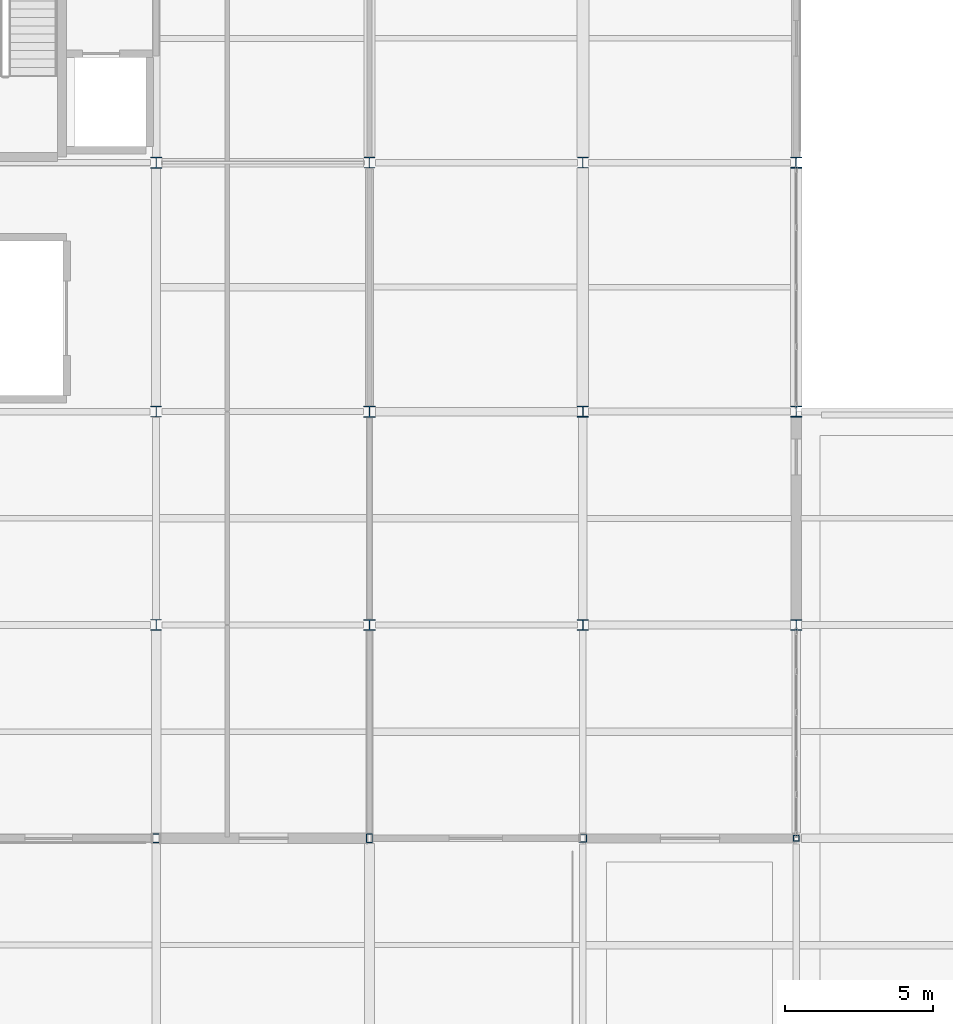
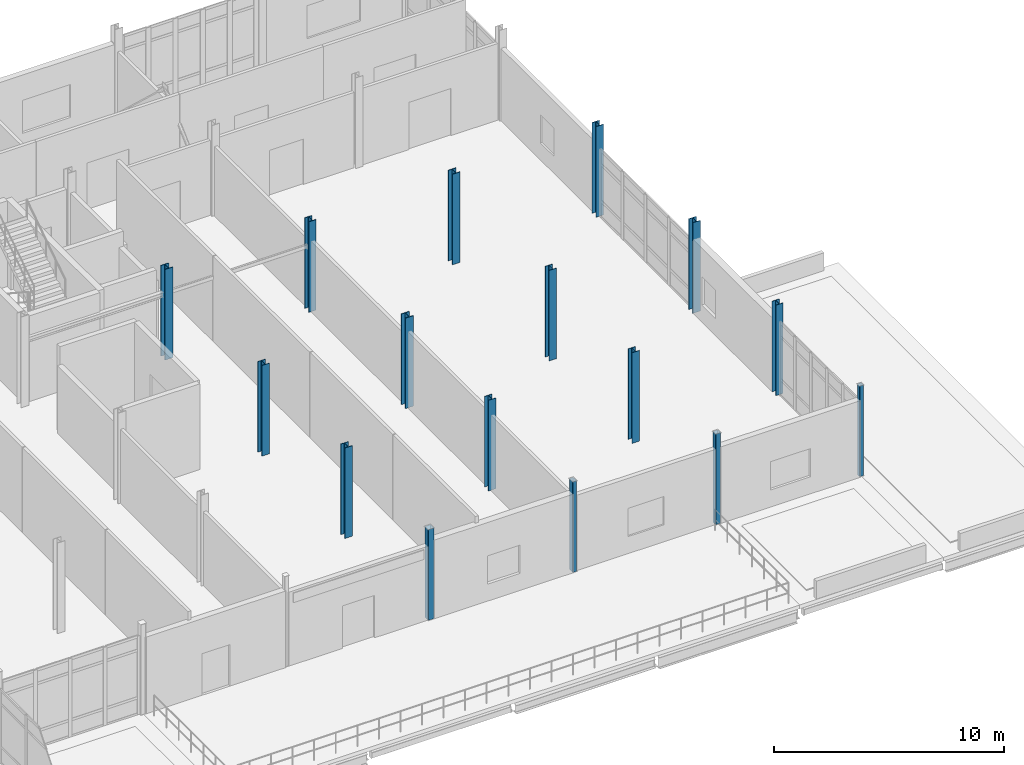
# One storey, part 15 of 186: 16 columns.
"""IFC4 building model written with IfcOpenShell, lengths in metres."""

import ifcopenshell
import ifcopenshell.guid

model = None  # the IFC model being written
_history = None  # IfcOwnerHistory: only IFC2X3 demands one
_inside = {}  # id of a spatial element -> (the spatial element, [elements in it])
_under = {}  # id of a project, library or spatial element -> (it, [spatial elements below it])
_declared = {}  # id of a project -> (the project, [libraries it declares])
_typed = {}  # id of a type object -> (the type object, [elements of that type])
_made_of = {}  # id of a material, layer set ... -> (it, [elements and type objects made of it])


def new_model(schema):
    """Start an empty IFC model of exactly this schema.

    Asked for "IFC4X3", IfcOpenShell would pick the latest addendum, in which some entities
    have other attributes; the version numbers below select the first issue.
    IFC2X3 requires an IfcOwnerHistory on every rooted entity: one is made here for all.
    """
    global model, _history
    if schema == "IFC4X3":
        model = ifcopenshell.file(schema_version=(4, 3, 0, 0))
    else:
        model = ifcopenshell.file(schema=schema)
    _inside.clear()
    _under.clear()
    _declared.clear()
    _typed.clear()
    _made_of.clear()
    _history = None
    if model.schema == "IFC2X3":
        org = make("IfcOrganization", Name="unknown")
        user = make(
            "IfcPersonAndOrganization",
            ThePerson=make("IfcPerson", FamilyName="unknown"),
            TheOrganization=org,
        )
        app = make(
            "IfcApplication",
            ApplicationDeveloper=org,
            Version="unknown",
            ApplicationFullName="unknown",
            ApplicationIdentifier="unknown",
        )
        _history = make(
            "IfcOwnerHistory",
            OwningUser=user,
            OwningApplication=app,
            ChangeAction="ADDED",
            CreationDate=0,
        )
    return model


def make(cls, **values):
    """One entity of the class cls with the attributes given. An attribute that is None is left unset."""
    return model.create_entity(
        cls, **{name: value for name, value in values.items() if value is not None}
    )


def rooted(cls, **values):
    """An entity with a GlobalId (a new one), such as an element, a storey or a relation."""
    return make(cls, GlobalId=ifcopenshell.guid.new(), OwnerHistory=_history, **values)


def si_unit(unit_type, name, prefix=None):
    """IfcSIUnit, for example si_unit("LENGTHUNIT", "METRE", prefix="MILLI")."""
    return make("IfcSIUnit", UnitType=unit_type, Prefix=prefix, Name=name)


def assignment(units):
    """IfcUnitAssignment: the units of a project."""
    return None if units is None else make("IfcUnitAssignment", Units=units)


def point(xyz):
    """IfcCartesianPoint."""
    return None if xyz is None else make("IfcCartesianPoint", Coordinates=xyz)


def direction(xyz):
    """IfcDirection."""
    return None if xyz is None else make("IfcDirection", DirectionRatios=xyz)


def frame(location, z_axis=None, x_axis=None):
    """IfcAxis2Placement3D, a coordinate frame: its origin and axes. An axis left out is left unset."""
    return make(
        "IfcAxis2Placement3D",
        Location=point(location),
        Axis=direction(z_axis),
        RefDirection=direction(x_axis),
    )


def frame_2d(location, x_axis=None):
    """IfcAxis2Placement2D, a coordinate frame in the plane: its origin and x axis."""
    return make(
        "IfcAxis2Placement2D", Location=point(location), RefDirection=direction(x_axis)
    )


def origin():
    """The frame at (0, 0, 0) with its axes left unset."""
    return frame((0.0, 0.0, 0.0))


def origin_2d():
    """The frame at (0, 0) in the plane with its x axis left unset."""
    return frame_2d((0.0, 0.0))


def place(relative_to, where):
    """IfcLocalPlacement: puts the frame where relative to a parent placement (None: the world)."""
    return make(
        "IfcLocalPlacement", PlacementRelTo=relative_to, RelativePlacement=where
    )


def context(
    kind, dimensions, precision=None, world=None, true_north=None, identifier=None
):
    """IfcGeometricRepresentationContext, for example the 3D "Model" context."""
    return make(
        "IfcGeometricRepresentationContext",
        ContextIdentifier=identifier,
        ContextType=kind,
        CoordinateSpaceDimension=dimensions,
        Precision=precision,
        WorldCoordinateSystem=world,
        TrueNorth=true_north,
    )


def subcontext(parent, identifier, kind, view, scale=None):
    """IfcGeometricRepresentationSubContext, for example "Body" below "Model"."""
    return make(
        "IfcGeometricRepresentationSubContext",
        ContextIdentifier=identifier,
        ContextType=kind,
        ParentContext=parent,
        TargetScale=scale,
        TargetView=view,
    )


def project(units=None, contexts=None):
    """IfcProject with its units and contexts."""
    return rooted(
        "IfcProject",
        Name="project",
        RepresentationContexts=contexts,
        UnitsInContext=assignment(units),
    )


def spatial(cls, under=None, at=None, **own):
    """A site, building, storey or space (cls), placed at a placement, below another one or the project."""
    s = rooted(cls, ObjectPlacement=at, **own)
    if under is not None:
        _under.setdefault(under.id(), (under, []))[1].append(s)
    return s


def profile(cls, at=None, kind="AREA", **sizes):
    """A parametric profile (cls). Its sizes go by their IFC names, for example OverallWidth=200.0."""
    return make(cls, ProfileType=kind, Position=at, **sizes)


def hollow_rectangle(**sizes):
    """IfcRectangleHollowProfileDef."""
    return profile("IfcRectangleHollowProfileDef", **sizes)


def i_section(**sizes):
    """IfcIShapeProfileDef."""
    return profile("IfcIShapeProfileDef", **sizes)


def extrude(swept, where, along, depth):
    """IfcExtrudedAreaSolid: the profile swept, set in the frame where, extruded along a direction by depth."""
    return make(
        "IfcExtrudedAreaSolid",
        SweptArea=swept,
        Position=where,
        ExtrudedDirection=direction(along),
        Depth=depth,
    )


def shape(context_of_items, identifier, shape_type, items):
    """IfcShapeRepresentation: the items that make up one representation, for example the "Body"."""
    return make(
        "IfcShapeRepresentation",
        ContextOfItems=context_of_items,
        RepresentationIdentifier=identifier,
        RepresentationType=shape_type,
        Items=items,
    )


def material(Name=None, Category=None):
    """IfcMaterial."""
    return make("IfcMaterial", Name=Name, Category=Category)


def material_profile(
    of_material, cross_section, Name=None, Category=None, Priority=None
):
    """IfcMaterialProfile: a cross section and its material."""
    return make(
        "IfcMaterialProfile",
        Name=Name,
        Material=of_material,
        Profile=cross_section,
        Priority=Priority,
        Category=Category,
    )


def profile_set(profiles, Name=None, composite=None):
    """IfcMaterialProfileSet."""
    return make(
        "IfcMaterialProfileSet",
        Name=Name,
        MaterialProfiles=profiles,
        CompositeProfile=composite,
    )


def made_of(thing, what):
    """Note that an element or type object is made of a material, layer set ...; save() writes the relation."""
    if what is not None:
        _made_of.setdefault(what.id(), (what, []))[1].append(thing)
    return thing


def type_object(cls, material=None, **own):
    """A type object (cls), such as IfcWallType, which elements share."""
    return made_of(rooted(cls, **own), material)


def element(
    cls,
    number,
    at=None,
    inside=None,
    cuts=None,
    type_object=None,
    material=None,
    context=None,
    identifier="Body",
    shape_type=None,
    held_by="IfcProductDefinitionShape",
    body=None,
    shapes=None,
    **own,
):
    """One element of the class cls, such as IfcWall. Its Tag is "e" and its number.

    at: its placement. inside: the storey or other place that contains it. cuts: it is an
    opening in that element (IfcRelVoidsElement). A single representation is given by context,
    identifier, shape_type and body (its items); several are given by shapes. held_by: the class
    of the entity that holds the representations. save() writes the other relations.
    """
    e = rooted(cls, Tag="e%d" % number, ObjectPlacement=at, **own)
    if body is not None:
        shapes = [shape(context, identifier, shape_type, body)]
    if shapes is not None:
        e.Representation = make(held_by, Representations=shapes)
    if inside is not None:
        _inside.setdefault(inside.id(), (inside, []))[1].append(e)
    if cuts is not None:
        rooted(
            "IfcRelVoidsElement", RelatingBuildingElement=cuts, RelatedOpeningElement=e
        )
    if type_object is not None:
        _typed.setdefault(type_object.id(), (type_object, []))[1].append(e)
    return made_of(e, material)


def aggregate(whole, parts):
    """IfcRelAggregates: a whole, such as a stair, and the parts it consists of."""
    return rooted("IfcRelAggregates", RelatingObject=whole, RelatedObjects=parts)


def save(model, path):
    """Write the relations noted so far, then the file.

    IfcRelAggregates (storeys below a building ...), IfcRelContainedInSpatialStructure (elements
    in a storey), IfcRelDefinesByType, IfcRelAssociatesMaterial and IfcRelDeclares: one each for
    every whole, place, type object, material and project.
    """
    for whole, parts in _under.values():
        aggregate(whole, parts)
    for where, things in _inside.values():
        rooted(
            "IfcRelContainedInSpatialStructure",
            RelatedElements=things,
            RelatingStructure=where,
        )
    for kind, things in _typed.values():
        rooted("IfcRelDefinesByType", RelatedObjects=things, RelatingType=kind)
    for what, things in _made_of.values():
        rooted("IfcRelAssociatesMaterial", RelatedObjects=things, RelatingMaterial=what)
    for by, libraries in _declared.values():
        rooted("IfcRelDeclares", RelatingContext=by, RelatedDefinitions=libraries)
    model.write(path)


model = new_model("IFC4")

# Units and contexts
model_context = context("Model", 3, precision=1e-05, world=origin(), true_north=direction((0.0, 1.0)))
body_context = subcontext(model_context, "Body", "Model", "MODEL_VIEW")
ifc_project = project(units=[si_unit("LENGTHUNIT", "METRE"), si_unit("AREAUNIT", "SQUARE_METRE"), si_unit("VOLUMEUNIT", "CUBIC_METRE"), si_unit("PLANEANGLEUNIT", "RADIAN"), si_unit("MASSUNIT", "GRAM", prefix="KILO")], contexts=[model_context])

# Site, building, storey
site_placement = place(None, origin())
site = spatial("IfcSite", under=ifc_project, at=site_placement, CompositionType="ELEMENT")
building_placement = place(site_placement, origin())
building = spatial("IfcBuilding", under=site, at=building_placement, Name="Calvrana Isthmian Art Gallery", CompositionType="ELEMENT")
storey_placement = place(building_placement, frame((0.0, 0.0, 5.39990234375)))
storey = spatial("IfcBuildingStorey", under=building, at=storey_placement, Name="L01", CompositionType="ELEMENT", Elevation=5.39990234375)

# Columns
ifc_material_1 = material(Name="Steel ASTM A500 Gr C", Category="steel")
ifc_material_profile_1 = material_profile(ifc_material_1, hollow_rectangle(XDim=0.203125, YDim=0.203125, WallThickness=0.0126953125, OuterFilletRadius=0.02490234375, at=origin_2d()), Name="HSS203X203X12.7")
ifc_profile_set_1 = profile_set([ifc_material_profile_1], Name="Steel ASTM A500 Gr C")
column_type_1 = type_object("IfcColumnType", Name="COL-STL-HSS203X203X12.7", PredefinedType="COLUMN", material=ifc_profile_set_1)
column_1_placement = place(storey_placement, frame((156.0, 7.199951171875, 0.0), z_axis=(0.0, 0.0, 1.0), x_axis=(1.0, 0.0, 0.0)))
element("IfcColumn", 1, at=column_1_placement, inside=storey, type_object=column_type_1, Name="Column 21/B L01", PredefinedType="COLUMN", context=body_context, shape_type="SweptSolid", body=[
    extrude(hollow_rectangle(XDim=0.203125, YDim=0.203125, WallThickness=0.0126953125, OuterFilletRadius=0.02490234375, at=origin_2d()), origin(), (0.0, 0.0, 1.0), 4.800048828125),
])
ifc_material_profile_2 = material_profile(ifc_material_1, hollow_rectangle(XDim=0.25390625, YDim=0.25390625, WallThickness=0.0126953125, OuterFilletRadius=0.02490234375, at=origin_2d()), Name="HSS254X254X12.7")
ifc_profile_set_2 = profile_set([ifc_material_profile_2], Name="Steel ASTM A500 Gr C")
column_type_2 = type_object("IfcColumnType", Name="COL-STL-HSS254X254X12.7", PredefinedType="COLUMN", material=ifc_profile_set_2)
column_2_placement = place(storey_placement, frame((148.800048828125, 7.199951171875, 0.0), z_axis=(0.0, 0.0, 1.0), x_axis=(1.0, 0.0, 0.0)))
element("IfcColumn", 2, at=column_2_placement, inside=storey, type_object=column_type_2, Name="Column 20/B L01", PredefinedType="COLUMN", context=body_context, shape_type="SweptSolid", body=[
    extrude(hollow_rectangle(XDim=0.25390625, YDim=0.25390625, WallThickness=0.0126953125, OuterFilletRadius=0.02490234375, at=origin_2d()), origin(), (0.0, 0.0, 1.0), 4.800048828125),
])
ifc_material_profile_3 = material_profile(ifc_material_1, hollow_rectangle(XDim=0.203125, YDim=0.3046875, WallThickness=0.0126953125, OuterFilletRadius=0.02490234375, at=origin_2d()), Name="HSS305X203X12.7")
ifc_profile_set_3 = profile_set([ifc_material_profile_3], Name="Steel ASTM A500 Gr C")
column_type_3 = type_object("IfcColumnType", Name="COL-STL-HSS305X203X12.7", PredefinedType="COLUMN", material=ifc_profile_set_3)
column_3_placement = place(storey_placement, frame((141.60009765625, 7.199951171875, 0.0), z_axis=(0.0, 0.0, 1.0), x_axis=(1.0, 0.0, 0.0)))
element("IfcColumn", 3, at=column_3_placement, inside=storey, type_object=column_type_3, Name="Column 19/B L01", PredefinedType="COLUMN", context=body_context, shape_type="SweptSolid", body=[
    extrude(hollow_rectangle(XDim=0.203125, YDim=0.3046875, WallThickness=0.0126953125, OuterFilletRadius=0.02490234375, at=origin_2d()), origin(), (0.0, 0.0, 1.0), 4.800048828125),
])
ifc_material_profile_4 = material_profile(ifc_material_1, hollow_rectangle(XDim=0.3046875, YDim=0.3046875, WallThickness=0.015869140625, OuterFilletRadius=0.031982421875, at=origin_2d()), Name="HSS305X305X15.9")
ifc_profile_set_4 = profile_set([ifc_material_profile_4], Name="Steel ASTM A500 Gr C")
column_type_4 = type_object("IfcColumnType", Name="COL-STL-HSS305X305X15.9", PredefinedType="COLUMN", material=ifc_profile_set_4)
column_4_placement = place(storey_placement, frame((134.39990234375, 7.199951171875, 0.0), z_axis=(0.0, 0.0, 1.0), x_axis=(1.0, 0.0, 0.0)))
element("IfcColumn", 4, at=column_4_placement, inside=storey, type_object=column_type_4, Name="Column 18/B L01", PredefinedType="COLUMN", context=body_context, shape_type="SweptSolid", body=[
    extrude(hollow_rectangle(XDim=0.3046875, YDim=0.3046875, WallThickness=0.015869140625, OuterFilletRadius=0.031982421875, at=origin_2d()), origin(), (0.0, 0.0, 1.0), 4.800048828125),
])
ifc_material_2 = material(Name="Steel ASTM A992 Gr 50", Category="steel")
ifc_material_profile_5 = material_profile(ifc_material_2, i_section(OverallWidth=0.37109375, OverallDepth=0.363037109375, WebThickness=0.01318359375, FlangeThickness=0.021728515625, FilletRadius=0.02490234375, at=origin_2d()), Name="W14X109")
ifc_profile_set_5 = profile_set([ifc_material_profile_5], Name="Steel ASTM A992 Gr 50")
column_type_5 = type_object("IfcColumnType", Name="COL-STL-W14X109", PredefinedType="COLUMN", material=ifc_profile_set_5)
for number, where, z_axis, x_axis, name in (
    (5, (148.800048828125, 14.39990234375, 0.0), (0.0, 0.0, 1.0), (1.0, 0.0, 0.0), "Column 20/C L01"),
    (6, (156.0, 21.60009765625, 0.0), (0.0, 0.0, 1.0), (1.0, 0.0, 0.0), "Column 21/D L01"),
):
    element("IfcColumn", number, at=place(storey_placement, frame(where, z_axis=z_axis, x_axis=x_axis)), inside=storey, type_object=column_type_5, Name=name, PredefinedType="COLUMN", context=body_context, shape_type="SweptSolid", body=[
        extrude(i_section(OverallWidth=0.37109375, OverallDepth=0.363037109375, WebThickness=0.01318359375, FlangeThickness=0.021728515625, FilletRadius=0.02490234375, at=origin_2d()), origin(), (0.0, 0.0, 1.0), 4.800048828125),
    ])
ifc_material_profile_6 = material_profile(ifc_material_2, i_section(OverallWidth=0.373046875, OverallDepth=0.367919921875, WebThickness=0.014892578125, FlangeThickness=0.02392578125, FilletRadius=0.02490234375, at=origin_2d()), Name="W14X120")
ifc_profile_set_6 = profile_set([ifc_material_profile_6], Name="Steel ASTM A992 Gr 50")
column_type_6 = type_object("IfcColumnType", Name="COL-STL-W14X120", PredefinedType="COLUMN", material=ifc_profile_set_6)
for number, where, z_axis, x_axis, name in (
    (7, (141.60009765625, 14.39990234375, 0.0), (0.0, 0.0, 1.0), (1.0, 0.0, 0.0), "Column 19/C L01"),
    (8, (148.800048828125, 21.60009765625, 0.0), (0.0, 0.0, 1.0), (1.0, 0.0, 0.0), "Column 20/D L01"),
    (9, (156.0, 30.0, 0.0), (0.0, 0.0, 1.0), (1.0, 0.0, 0.0), "Column 21/E L01"),
):
    element("IfcColumn", number, at=place(storey_placement, frame(where, z_axis=z_axis, x_axis=x_axis)), inside=storey, type_object=column_type_6, Name=name, PredefinedType="COLUMN", context=body_context, shape_type="SweptSolid", body=[
        extrude(i_section(OverallWidth=0.373046875, OverallDepth=0.367919921875, WebThickness=0.014892578125, FlangeThickness=0.02392578125, FilletRadius=0.02490234375, at=origin_2d()), origin(), (0.0, 0.0, 1.0), 4.800048828125),
    ])
ifc_material_profile_7 = material_profile(ifc_material_2, i_section(OverallWidth=0.373046875, OverallDepth=0.373046875, WebThickness=0.016357421875, FlangeThickness=0.026123046875, FilletRadius=0.02490234375, at=origin_2d()), Name="W14X132")
ifc_profile_set_7 = profile_set([ifc_material_profile_7], Name="Steel ASTM A992 Gr 50")
column_type_7 = type_object("IfcColumnType", Name="COL-STL-W14X132", PredefinedType="COLUMN", material=ifc_profile_set_7)
for number, where, z_axis, x_axis, name in (
    (10, (134.39990234375, 14.39990234375, 0.0), (0.0, 0.0, 1.0), (1.0, 0.0, 0.0), "Column 18/C L01"),
    (11, (134.39990234375, 21.60009765625, 0.0), (0.0, 0.0, 1.0), (1.0, 0.0, 0.0), "Column 18/D L01"),
    (12, (141.60009765625, 30.0, 0.0), (0.0, 0.0, 1.0), (1.0, 0.0, 0.0), "Column 19/E L01"),
    (13, (148.800048828125, 30.0, 0.0), (0.0, 0.0, 1.0), (1.0, 0.0, 0.0), "Column 20/E L01"),
):
    element("IfcColumn", number, at=place(storey_placement, frame(where, z_axis=z_axis, x_axis=x_axis)), inside=storey, type_object=column_type_7, Name=name, PredefinedType="COLUMN", context=body_context, shape_type="SweptSolid", body=[
        extrude(i_section(OverallWidth=0.373046875, OverallDepth=0.373046875, WebThickness=0.016357421875, FlangeThickness=0.026123046875, FilletRadius=0.02490234375, at=origin_2d()), origin(), (0.0, 0.0, 1.0), 4.800048828125),
    ])
ifc_material_profile_8 = material_profile(ifc_material_2, i_section(OverallWidth=0.39404296875, OverallDepth=0.3759765625, WebThickness=0.017333984375, FlangeThickness=0.027587890625, FilletRadius=0.02490234375, at=origin_2d()), Name="W14X145")
ifc_profile_set_8 = profile_set([ifc_material_profile_8], Name="Steel ASTM A992 Gr 50")
column_type_8 = type_object("IfcColumnType", Name="COL-STL-W14X145", PredefinedType="COLUMN", material=ifc_profile_set_8)
column_5_placement = place(storey_placement, frame((134.39990234375, 30.0, 0.0), z_axis=(0.0, 0.0, 1.0), x_axis=(1.0, 0.0, 0.0)))
element("IfcColumn", 14, at=column_5_placement, inside=storey, type_object=column_type_8, Name="Column 18/E L01", PredefinedType="COLUMN", context=body_context, shape_type="SweptSolid", body=[
    extrude(i_section(OverallWidth=0.39404296875, OverallDepth=0.3759765625, WebThickness=0.017333984375, FlangeThickness=0.027587890625, FilletRadius=0.02490234375, at=origin_2d()), origin(), (0.0, 0.0, 1.0), 4.800048828125),
])
ifc_material_profile_9 = material_profile(ifc_material_2, i_section(OverallWidth=0.39892578125, OverallDepth=0.385986328125, WebThickness=0.02099609375, FlangeThickness=0.033203125, FilletRadius=0.02490234375, at=origin_2d()), Name="W14X176")
ifc_profile_set_9 = profile_set([ifc_material_profile_9], Name="Steel ASTM A992 Gr 50")
column_type_9 = type_object("IfcColumnType", Name="COL-STL-W14X176", PredefinedType="COLUMN", material=ifc_profile_set_9)
column_6_placement = place(storey_placement, frame((141.60009765625, 21.60009765625, 0.0), z_axis=(0.0, 0.0, 1.0), x_axis=(1.0, 0.0, 0.0)))
element("IfcColumn", 15, at=column_6_placement, inside=storey, type_object=column_type_9, Name="Column 19/D L01", PredefinedType="COLUMN", context=body_context, shape_type="SweptSolid", body=[
    extrude(i_section(OverallWidth=0.39892578125, OverallDepth=0.385986328125, WebThickness=0.02099609375, FlangeThickness=0.033203125, FilletRadius=0.02490234375, at=origin_2d()), origin(), (0.0, 0.0, 1.0), 4.800048828125),
])
ifc_material_profile_10 = material_profile(ifc_material_2, i_section(OverallWidth=0.367919921875, OverallDepth=0.35595703125, WebThickness=0.01123046875, FlangeThickness=0.01806640625, FilletRadius=0.02490234375, at=origin_2d()), Name="W14X90")
ifc_profile_set_10 = profile_set([ifc_material_profile_10], Name="Steel ASTM A992 Gr 50")
column_type_10 = type_object("IfcColumnType", Name="COL-STL-W14X90", PredefinedType="COLUMN", material=ifc_profile_set_10)
column_7_placement = place(storey_placement, frame((156.0, 14.39990234375, 0.0), z_axis=(0.0, 0.0, 1.0), x_axis=(1.0, 0.0, 0.0)))
element("IfcColumn", 16, at=column_7_placement, inside=storey, type_object=column_type_10, Name="Column 21/C L01", PredefinedType="COLUMN", context=body_context, shape_type="SweptSolid", body=[
    extrude(i_section(OverallWidth=0.367919921875, OverallDepth=0.35595703125, WebThickness=0.01123046875, FlangeThickness=0.01806640625, FilletRadius=0.02490234375, at=origin_2d()), origin(), (0.0, 0.0, 1.0), 4.800048828125),
])

save(model, "model.ifc")
